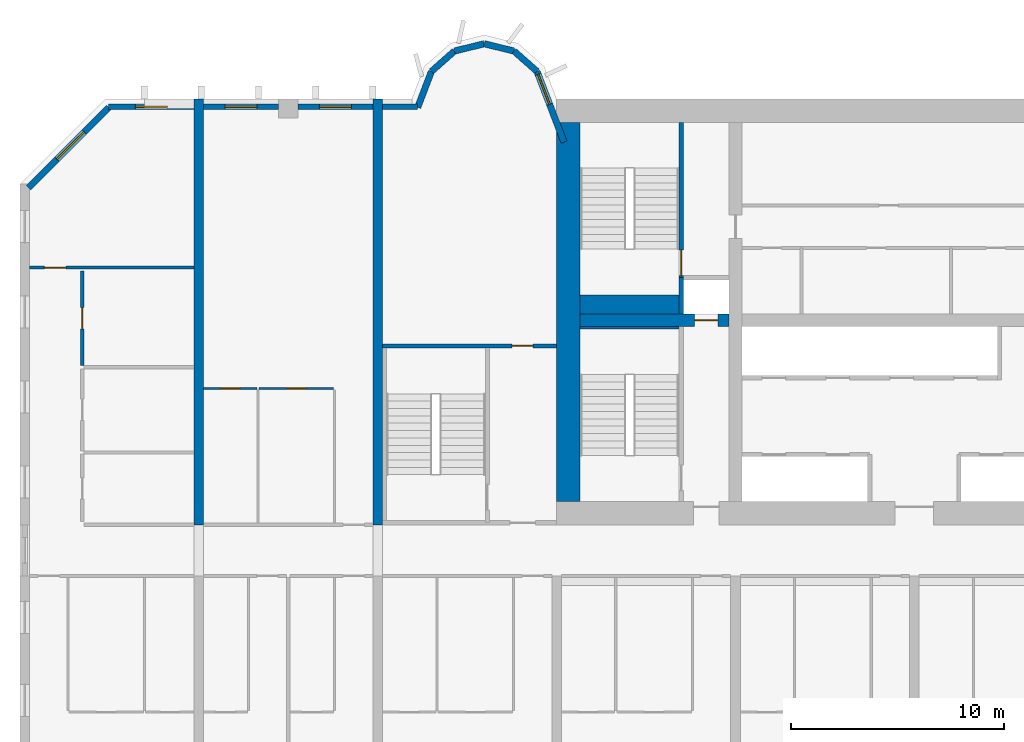
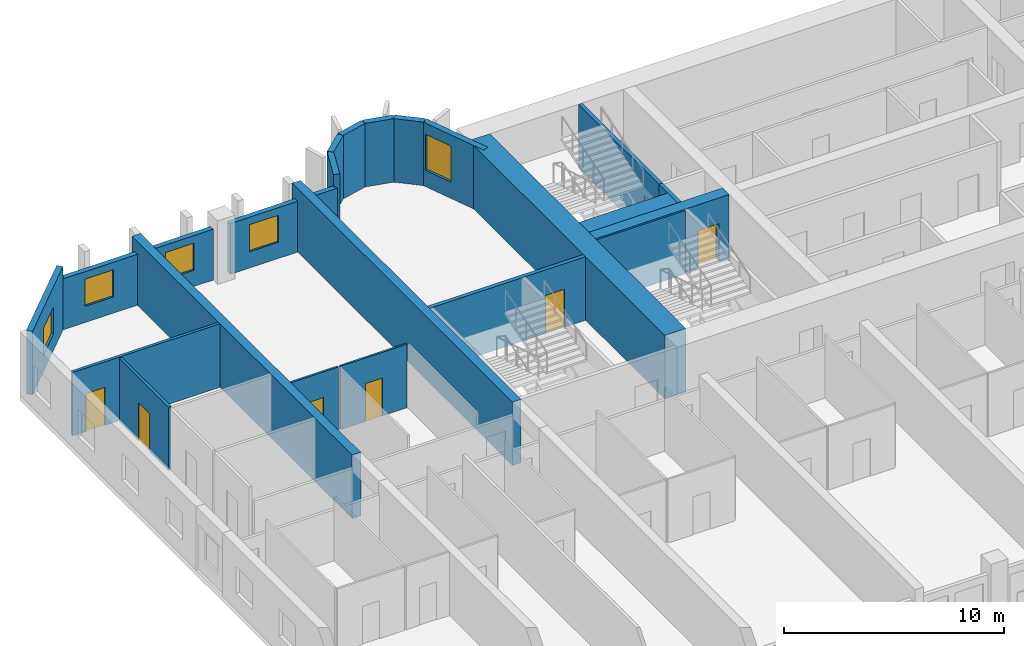
# One storey, part 6 of 14: 24 walls, 7 doors, 5 windows, 12 openings.
"""IFC4 building model written with IfcOpenShell, lengths in metres."""

from ifc_helpers import new_model, si_unit, direction, frame, frame_2d, origin, place, context, subcontext, project, spatial, rectangle, extrude, source, transform, mapped, material, layer, layer_set, type_object, element, fill, save


model = new_model("IFC4")

# Units and contexts
model_context = context("Model", 3, precision=1e-05, world=origin(), true_north=direction((0.0, 1.0)))
body_context = subcontext(model_context, "Body", "Model", "MODEL_VIEW")
ifc_project = project(units=[si_unit("LENGTHUNIT", "METRE"), si_unit("AREAUNIT", "SQUARE_METRE"), si_unit("VOLUMEUNIT", "CUBIC_METRE"), si_unit("PLANEANGLEUNIT", "RADIAN"), si_unit("MASSUNIT", "GRAM", prefix="KILO")], contexts=[model_context])

# Site, building, storey
site_placement = place(None, origin())
site = spatial("IfcSite", under=ifc_project, at=site_placement, CompositionType="ELEMENT")
building_placement = place(site_placement, origin())
building = spatial("IfcBuilding", under=site, at=building_placement, Name="Vanashikhar Sky Hotel", CompositionType="ELEMENT")
storey_placement = place(building_placement, frame((0.0, 0.0, 43.0)))
storey = spatial("IfcBuildingStorey", under=building, at=storey_placement, Name="L09", CompositionType="ELEMENT", Elevation=43.0)

# Wall
ifc_material_1 = material(Name="Concrete M80", Category="concrete")
ifc_layer_1 = layer(ifc_material_1, 1.10009765625)
ifc_layer_set_1 = layer_set([ifc_layer_1], Name="RC core shell wall 1100 Concrete M80")
wall_type_1 = type_object("IfcWallType", Name="RC core shell wall 1100 Concrete M80", PredefinedType="SHEAR", material=ifc_layer_set_1)
shared_shape_1 = source(origin(), body_context, "Body", "SweptSolid", [
    extrude(rectangle(XDim=17.7998046875, YDim=1.10009765625, at=frame_2d((8.89990234375, 0.0))), origin(), (0.0, 0.0, 1.0), 3.52001953125),
])
wall_1_placement = place(storey_placement, frame((25.75, 23.10009765625, 0.0), z_axis=(0.0, 0.0, 1.0), x_axis=(0.0, 1.0, 0.0)))
element("IfcWall", 1, at=wall_1_placement, inside=storey, type_object=wall_type_1, Name="KW-L09-KW", PredefinedType="SHEAR", context=body_context, shape_type="MappedRepresentation", body=[
    mapped(shared_shape_1, transform((0.0, 0.0, 0.0), scale=1.0)),
])

# Wall, opening, door
ifc_layer_2 = layer(ifc_material_1, 0.60009765625)
ifc_layer_set_2 = layer_set([ifc_layer_2], Name="RC core inner wall 600 Concrete M80")
wall_type_2 = type_object("IfcWallType", Name="RC core inner wall 600 Concrete M80", PredefinedType="SHEAR", material=ifc_layer_set_2)
shared_shape_2 = source(origin(), body_context, "Body", "SweptSolid", [
    extrude(rectangle(XDim=7.0, YDim=0.60009765625, at=frame_2d((3.5, 0.0))), origin(), (0.0, 0.0, 1.0), 3.52001953125),
])
wall_2_placement = place(storey_placement, frame((26.300048828125, 31.60009765625, 0.0), z_axis=(0.0, 0.0, 1.0), x_axis=(1.0, 0.0, 0.0)))
wall_2 = element("IfcWall", 2, at=wall_2_placement, inside=storey, type_object=wall_type_2, Name="KW-L09-KY1", PredefinedType="SHEAR", context=body_context, shape_type="MappedRepresentation", body=[
    mapped(shared_shape_2, transform((0.0, 0.0, 0.0), scale=1.0)),
])
shared_shape_3 = source(origin(), body_context, "Body", "SweptSolid", [
    extrude(rectangle(XDim=1.10009765625, YDim=2.10009765625, at=frame_2d((0.550048828125, 1.050048828125))), frame((0.0, 0.31005859375, 0.0), z_axis=(0.0, -1.0, 0.0), x_axis=(1.0, 0.0, 0.0)), (0.0, 0.0, 1.0), 0.6201171875),
])
opening_1_placement = place(wall_2_placement, frame((5.375, 0.0, 0.0)))
opening_1 = element("IfcOpeningElement", 3, at=opening_1_placement, cuts=wall_2, Name="Opening LD", PredefinedType="OPENING", context=body_context, shape_type="MappedRepresentation", body=[
    mapped(shared_shape_3, transform((0.0, 0.0, 0.0), scale=1.0)),
])
ifc_material_2 = material(Name="Stainless steel", Category="steel")
door_type_1 = type_object("IfcDoorType", Name="Lift landing door 1100", OperationType="NOTDEFINED", PredefinedType="DOOR", material=ifc_material_2)
shared_shape_4 = source(origin(), body_context, "Body", "SweptSolid", [
    extrude(rectangle(XDim=1.10009765625, YDim=2.10009765625, at=frame_2d((0.550048828125, 1.050048828125))), frame((0.0, 0.02490234375, 0.0), z_axis=(0.0, -1.0, 0.0), x_axis=(1.0, 0.0, 0.0)), (0.0, 0.0, 1.0), 0.050048828125),
])
door_1_placement = place(opening_1_placement, origin())
door_1 = element("IfcDoor", 4, at=door_1_placement, inside=storey, type_object=door_type_1, Name="Lift landing door 1100", OperationType="SLIDING_TO_RIGHT", OverallHeight=2.10009765625, OverallWidth=1.10009765625, PredefinedType="DOOR", context=body_context, shape_type="MappedRepresentation", body=[
    mapped(shared_shape_4, transform((0.0, 0.0, 0.0), scale=1.0)),
])
fill(opening_1, door_1)

# Walls
ifc_layer_3 = layer(ifc_material_1, 0.449951171875)
ifc_layer_set_3 = layer_set([ifc_layer_3], Name="RC shear wall 450 Concrete M80")
wall_type_3 = type_object("IfcWallType", Name="RC shear wall 450 Concrete M80", PredefinedType="SHEAR", material=ifc_layer_set_3)
shared_shape_5 = source(origin(), body_context, "Body", "SweptSolid", [
    extrude(rectangle(XDim=20.0, YDim=0.449951171875, at=frame_2d((10.0, 0.0))), origin(), (0.0, 0.0, 1.0), 3.52001953125),
])
for number, where, z_axis, x_axis, name in (
    (5, (8.39990234375, 22.0, 0.0), (0.0, 0.0, 1.0), (0.0, 1.0, 0.0), "CW-L09-XW02-2"),
    (6, (16.800048828125, 22.0, 0.0), (0.0, 0.0, 1.0), (0.0, 1.0, 0.0), "CW-L09-XW03-2"),
):
    element("IfcWall", number, at=place(storey_placement, frame(where, z_axis=z_axis, x_axis=x_axis)), inside=storey, type_object=wall_type_3, Name=name, PredefinedType="SHEAR", context=body_context, shape_type="MappedRepresentation", body=[
        mapped(shared_shape_5, transform((0.0, 0.0, 0.0), scale=1.0)),
    ])

# Wall, opening, window
ifc_material_3 = material(Name="Concrete M50", Category="concrete")
ifc_layer_4 = layer(ifc_material_3, 0.300048828125)
ifc_layer_set_4 = layer_set([ifc_layer_4], Name="Lobe wall 300")
wall_type_4 = type_object("IfcWallType", Name="Lobe wall 300", PredefinedType="SOLIDWALL", material=ifc_layer_set_4)
shared_shape_6 = source(origin(), body_context, "Body", "SweptSolid", [
    extrude(rectangle(XDim=5.32568359375, YDim=0.300048828125, at=frame_2d((2.662841796875, 0.0))), origin(), (0.0, 0.0, 1.0), 3.52001953125),
])
wall_3_placement = place(storey_placement, frame((4.165771484375, 41.60009765625, 0.0), z_axis=(0.0, 0.0, 1.0), x_axis=(-0.707106781187, -0.707106781187, 0.0)))
wall_3 = element("IfcWall", 7, at=wall_3_placement, inside=storey, type_object=wall_type_4, Name="Corner wall", PredefinedType="SOLIDWALL", context=body_context, shape_type="MappedRepresentation", body=[
    mapped(shared_shape_6, transform((0.0, 0.0, 0.0), scale=1.0)),
])
shared_shape_7 = source(origin(), body_context, "Body", "SweptSolid", [
    extrude(rectangle(XDim=1.800048828125, YDim=1.5, at=frame_2d((0.89990234375, 0.75))), frame((0.0, 0.16015625, 0.0), z_axis=(0.0, -1.0, 0.0), x_axis=(1.0, 0.0, 0.0)), (0.0, 0.0, 1.0), 0.320068359375),
])
opening_2_placement = place(wall_3_placement, frame((1.636474609375, 0.0, 0.89990234375)))
opening_2 = element("IfcOpeningElement", 8, at=opening_2_placement, cuts=wall_3, Name="Opening WN-4", PredefinedType="OPENING", context=body_context, shape_type="MappedRepresentation", body=[
    mapped(shared_shape_7, transform((0.0, 0.0, 0.0), scale=1.0)),
])
ifc_material_4 = material(Name="Glass", Category="glass")
window_type_1 = type_object("IfcWindowType", Name="Corner window 1800 x 1500", PartitioningType="SINGLE_PANEL", PredefinedType="WINDOW", material=ifc_material_4)
shared_shape_8 = source(origin(), body_context, "Body", "SweptSolid", [
    extrude(rectangle(XDim=1.800048828125, YDim=1.5, at=frame_2d((0.89990234375, 0.75))), frame((0.0, 0.030029296875, 0.0), z_axis=(0.0, -1.0, 0.0), x_axis=(1.0, 0.0, 0.0)), (0.0, 0.0, 1.0), 0.06005859375),
])
window_1_placement = place(opening_2_placement, origin())
window_1 = element("IfcWindow", 9, at=window_1_placement, inside=storey, type_object=window_type_1, Name="Window WN-4", OverallHeight=1.5, OverallWidth=1.800048828125, PartitioningType="SINGLE_PANEL", PredefinedType="WINDOW", context=body_context, shape_type="MappedRepresentation", body=[
    mapped(shared_shape_8, transform((0.0, 0.0, 0.0), scale=1.0)),
])
fill(opening_2, window_1)

shared_shape_9 = source(origin(), body_context, "Body", "SweptSolid", [
    extrude(rectangle(XDim=3.55908203125, YDim=0.300048828125, at=frame_2d((1.779541015625, 0.0))), origin(), (0.0, 0.0, 1.0), 3.52001953125),
])
wall_4_placement = place(storey_placement, frame((25.550048828125, 39.968505859375, 0.0), z_axis=(0.0, 0.0, 1.0), x_axis=(-0.35779745313, 0.933799219604, 0.0)))
wall_4 = element("IfcWall", 10, at=wall_4_placement, inside=storey, type_object=wall_type_4, Name="Lobe wall", PredefinedType="SOLIDWALL", context=body_context, shape_type="MappedRepresentation", body=[
    mapped(shared_shape_9, transform((0.0, 0.0, 0.0), scale=1.0)),
])
shared_shape_10 = source(origin(), body_context, "Body", "SweptSolid", [
    extrude(rectangle(XDim=1.5, YDim=2.0, at=frame_2d((0.75, 1.0))), frame((0.0, 0.16015625, 0.0), z_axis=(0.0, -1.0, 0.0), x_axis=(1.0, 0.0, 0.0)), (0.0, 0.0, 1.0), 0.320068359375),
])
opening_3_placement = place(wall_4_placement, frame((1.9033203125, 0.0, 0.89990234375)))
opening_3 = element("IfcOpeningElement", 11, at=opening_3_placement, cuts=wall_4, Name="Opening WN-2", PredefinedType="OPENING", context=body_context, shape_type="MappedRepresentation", body=[
    mapped(shared_shape_10, transform((0.0, 0.0, 0.0), scale=1.0)),
])
window_type_2 = type_object("IfcWindowType", Name="Lobe window 1500 x 2000", PartitioningType="SINGLE_PANEL", PredefinedType="WINDOW", material=ifc_material_4)
shared_shape_11 = source(origin(), body_context, "Body", "SweptSolid", [
    extrude(rectangle(XDim=1.5, YDim=2.0, at=frame_2d((0.75, 1.0))), frame((0.0, 0.030029296875, 0.0), z_axis=(0.0, -1.0, 0.0), x_axis=(1.0, 0.0, 0.0)), (0.0, 0.0, 1.0), 0.06005859375),
])
window_2_placement = place(opening_3_placement, origin())
window_2 = element("IfcWindow", 12, at=window_2_placement, inside=storey, type_object=window_type_2, Name="Window WN-2", OverallHeight=2.0, OverallWidth=1.5, PartitioningType="SINGLE_PANEL", PredefinedType="WINDOW", context=body_context, shape_type="MappedRepresentation", body=[
    mapped(shared_shape_11, transform((0.0, 0.0, 0.0), scale=1.0)),
])
fill(opening_3, window_2)

# Walls
shared_shape_12 = source(origin(), body_context, "Body", "SweptSolid", [
    extrude(rectangle(XDim=1.440185546875, YDim=0.300048828125, at=frame_2d((0.72021484375, 0.0))), origin(), (0.0, 0.0, 1.0), 3.52001953125),
])
wall_5_placement = place(storey_placement, frame((24.276611328125, 43.2919921875, 0.0), z_axis=(0.0, 0.0, 1.0), x_axis=(-0.749649827867, 0.661834673902, 0.0)))
element("IfcWall", 13, at=wall_5_placement, inside=storey, type_object=wall_type_4, Name="Lobe wall", PredefinedType="SOLIDWALL", context=body_context, shape_type="MappedRepresentation", body=[
    mapped(shared_shape_12, transform((0.0, 0.0, 0.0), scale=1.0)),
])
shared_shape_13 = source(origin(), body_context, "Body", "SweptSolid", [
    extrude(rectangle(XDim=1.4384765625, YDim=0.300048828125, at=frame_2d((0.71923828125, 0.0))), origin(), (0.0, 0.0, 1.0), 3.52001953125),
])
wall_6_placement = place(storey_placement, frame((23.197021484375, 44.2451171875, 0.0), z_axis=(0.0, 0.0, 1.0), x_axis=(-0.971152283879, 0.238460146601, 0.0)))
element("IfcWall", 14, at=wall_6_placement, inside=storey, type_object=wall_type_4, Name="Lobe wall", PredefinedType="SOLIDWALL", context=body_context, shape_type="MappedRepresentation", body=[
    mapped(shared_shape_13, transform((0.0, 0.0, 0.0), scale=1.0)),
])
shared_shape_14 = source(origin(), body_context, "Body", "SweptSolid", [
    extrude(rectangle(XDim=1.438720703125, YDim=0.300048828125, at=frame_2d((0.71923828125, 0.0))), origin(), (0.0, 0.0, 1.0), 3.52001953125),
])
wall_7_placement = place(storey_placement, frame((21.800048828125, 44.588134765625, 0.0), z_axis=(0.0, 0.0, 1.0), x_axis=(-0.971161932466, -0.238420848351, 0.0)))
element("IfcWall", 15, at=wall_7_placement, inside=storey, type_object=wall_type_4, Name="Lobe wall", PredefinedType="SOLIDWALL", context=body_context, shape_type="MappedRepresentation", body=[
    mapped(shared_shape_14, transform((0.0, 0.0, 0.0), scale=1.0)),
])
shared_shape_15 = source(origin(), body_context, "Body", "SweptSolid", [
    extrude(rectangle(XDim=1.43994140625, YDim=0.300048828125, at=frame_2d((0.719970703125, 0.0))), origin(), (0.0, 0.0, 1.0), 3.52001953125),
])
wall_8_placement = place(storey_placement, frame((20.40283203125, 44.2451171875, 0.0), z_axis=(0.0, 0.0, 1.0), x_axis=(-0.74957555648, -0.661918790432, 0.0)))
element("IfcWall", 16, at=wall_8_placement, inside=storey, type_object=wall_type_4, Name="Lobe wall", PredefinedType="SOLIDWALL", context=body_context, shape_type="MappedRepresentation", body=[
    mapped(shared_shape_15, transform((0.0, 0.0, 0.0), scale=1.0)),
])
shared_shape_16 = source(origin(), body_context, "Body", "SweptSolid", [
    extrude(rectangle(XDim=1.81201171875, YDim=0.300048828125, at=frame_2d((0.906005859375, 0.0))), origin(), (0.0, 0.0, 1.0), 3.52001953125),
])
wall_9_placement = place(storey_placement, frame((19.323486328125, 43.2919921875, 0.0), z_axis=(0.0, 0.0, 1.0), x_axis=(-0.357877270961, -0.93376863244, 0.0)))
element("IfcWall", 17, at=wall_9_placement, inside=storey, type_object=wall_type_4, Name="Lobe wall", PredefinedType="SOLIDWALL", context=body_context, shape_type="MappedRepresentation", body=[
    mapped(shared_shape_16, transform((0.0, 0.0, 0.0), scale=1.0)),
])

# Wall, opening, window
ifc_layer_5 = layer(ifc_material_3, 0.25)
ifc_layer_set_5 = layer_set([ifc_layer_5], Name="Rear and end board-marked wall 250")
wall_type_5 = type_object("IfcWallType", Name="Rear and end board-marked wall 250", PredefinedType="SOLIDWALL", material=ifc_layer_set_5)
shared_shape_17 = source(origin(), body_context, "Body", "SweptSolid", [
    extrude(rectangle(XDim=4.019775390625, YDim=0.25, at=frame_2d((2.009765625, 0.0))), origin(), (0.0, 0.0, 1.0), 2.820068359375),
])
wall_10_placement = place(storey_placement, frame((8.175048828125, 41.625, 0.0), z_axis=(0.0, 0.0, 1.0), x_axis=(-1.0, 0.0, 0.0)))
wall_10 = element("IfcWall", 18, at=wall_10_placement, inside=storey, type_object=wall_type_5, Name="Rear board-marked wall", PredefinedType="SOLIDWALL", context=body_context, shape_type="MappedRepresentation", body=[
    mapped(shared_shape_17, transform((0.0, 0.0, 0.0), scale=1.0)),
])
shared_shape_18 = source(origin(), body_context, "Body", "SweptSolid", [
    extrude(rectangle(XDim=1.5, YDim=1.5, at=frame_2d((0.75, 0.75))), frame((0.0, 0.135009765625, 0.0), z_axis=(0.0, -1.0, 0.0), x_axis=(1.0, 0.0, 0.0)), (0.0, 0.0, 1.0), 0.27001953125),
])
opening_4_placement = place(wall_10_placement, frame((1.260009765625, 0.0, 0.89990234375)))
opening_4 = element("IfcOpeningElement", 19, at=opening_4_placement, cuts=wall_10, Name="Opening WN-1", PredefinedType="OPENING", context=body_context, shape_type="MappedRepresentation", body=[
    mapped(shared_shape_18, transform((0.0, 0.0, 0.0), scale=1.0)),
])
window_type_3 = type_object("IfcWindowType", Name="Window 1500 x 1500", PartitioningType="SINGLE_PANEL", PredefinedType="WINDOW", material=ifc_material_4)
shared_shape_19 = source(origin(), body_context, "Body", "SweptSolid", [
    extrude(rectangle(XDim=1.5, YDim=1.5, at=frame_2d((0.75, 0.75))), frame((0.0, 0.030029296875, 0.0), z_axis=(0.0, -1.0, 0.0), x_axis=(1.0, 0.0, 0.0)), (0.0, 0.0, 1.0), 0.06005859375),
])
window_3_placement = place(opening_4_placement, origin())
window_3 = element("IfcWindow", 20, at=window_3_placement, inside=storey, type_object=window_type_3, Name="Window WN-1", OverallHeight=1.5, OverallWidth=1.5, PartitioningType="SINGLE_PANEL", PredefinedType="WINDOW", context=body_context, shape_type="MappedRepresentation", body=[
    mapped(shared_shape_19, transform((0.0, 0.0, 0.0), scale=1.0)),
])
fill(opening_4, window_3)

shared_shape_20 = source(origin(), body_context, "Body", "SweptSolid", [
    extrude(rectangle(XDim=3.52490234375, YDim=0.25, at=frame_2d((1.762451171875, 0.0))), origin(), (0.0, 0.0, 1.0), 2.820068359375),
])
wall_11_placement = place(storey_placement, frame((12.14990234375, 41.625, 0.0), z_axis=(0.0, 0.0, 1.0), x_axis=(-1.0, 0.0, 0.0)))
wall_11 = element("IfcWall", 21, at=wall_11_placement, inside=storey, type_object=wall_type_5, Name="Rear board-marked wall", PredefinedType="SOLIDWALL", context=body_context, shape_type="MappedRepresentation", body=[
    mapped(shared_shape_20, transform((0.0, 0.0, 0.0), scale=1.0)),
])
opening_5_placement = place(wall_11_placement, frame((1.012451171875, 0.0, 0.89990234375)))
opening_5 = element("IfcOpeningElement", 22, at=opening_5_placement, cuts=wall_11, Name="Opening WN-1", PredefinedType="OPENING", context=body_context, shape_type="MappedRepresentation", body=[
    mapped(shared_shape_18, transform((0.0, 0.0, 0.0), scale=1.0)),
])
window_4_placement = place(opening_5_placement, origin())
window_4 = element("IfcWindow", 23, at=window_4_placement, inside=storey, type_object=window_type_3, Name="Window WN-1", OverallHeight=1.5, OverallWidth=1.5, PartitioningType="SINGLE_PANEL", PredefinedType="WINDOW", context=body_context, shape_type="MappedRepresentation", body=[
    mapped(shared_shape_19, transform((0.0, 0.0, 0.0), scale=1.0)),
])
fill(opening_5, window_4)

wall_12_placement = place(storey_placement, frame((16.574951171875, 41.625, 0.0), z_axis=(0.0, 0.0, 1.0), x_axis=(-1.0, 0.0, 0.0)))
wall_12 = element("IfcWall", 24, at=wall_12_placement, inside=storey, type_object=wall_type_5, Name="Rear board-marked wall", PredefinedType="SOLIDWALL", context=body_context, shape_type="MappedRepresentation", body=[
    mapped(shared_shape_20, transform((0.0, 0.0, 0.0), scale=1.0)),
])
opening_6_placement = place(wall_12_placement, frame((1.012451171875, 0.0, 0.89990234375)))
opening_6 = element("IfcOpeningElement", 25, at=opening_6_placement, cuts=wall_12, Name="Opening WN-1", PredefinedType="OPENING", context=body_context, shape_type="MappedRepresentation", body=[
    mapped(shared_shape_18, transform((0.0, 0.0, 0.0), scale=1.0)),
])
window_5_placement = place(opening_6_placement, origin())
window_5 = element("IfcWindow", 26, at=window_5_placement, inside=storey, type_object=window_type_3, Name="Window WN-1", OverallHeight=1.5, OverallWidth=1.5, PartitioningType="SINGLE_PANEL", PredefinedType="WINDOW", context=body_context, shape_type="MappedRepresentation", body=[
    mapped(shared_shape_19, transform((0.0, 0.0, 0.0), scale=1.0)),
])
fill(opening_6, window_5)

# Walls
shared_shape_21 = source(origin(), body_context, "Body", "SweptSolid", [
    extrude(rectangle(XDim=1.633056640625, YDim=0.25, at=frame_2d((0.81640625, 0.0))), origin(), (0.0, 0.0, 1.0), 2.820068359375),
])
wall_13_placement = place(storey_placement, frame((18.657958984375, 41.625, 0.0), z_axis=(0.0, 0.0, 1.0), x_axis=(-1.0, 0.0, 0.0)))
element("IfcWall", 27, at=wall_13_placement, inside=storey, type_object=wall_type_5, Name="Rear board-marked wall", PredefinedType="SOLIDWALL", context=body_context, shape_type="MappedRepresentation", body=[
    mapped(shared_shape_21, transform((0.0, 0.0, 0.0), scale=1.0)),
])
ifc_material_5 = material(Name="Concrete M40", Category="concrete")
ifc_layer_6 = layer(ifc_material_5, 0.199951171875)
ifc_layer_set_6 = layer_set([ifc_layer_6], Name="Shaft wall 200")
wall_type_6 = type_object("IfcWallType", Name="Shaft wall 200", PredefinedType="SOLIDWALL", material=ifc_layer_set_6)
shared_shape_22 = source(origin(), body_context, "Body", "SweptSolid", [
    extrude(rectangle(XDim=1.7001953125, YDim=0.199951171875, at=frame_2d((0.85009765625, 0.0))), origin(), (0.0, 0.0, 1.0), 3.52001953125),
])
wall_14_placement = place(storey_placement, frame((31.050048828125, 31.89990234375, 0.0), z_axis=(0.0, 0.0, 1.0), x_axis=(0.0, 1.0, 0.0)))
element("IfcWall", 28, at=wall_14_placement, inside=storey, type_object=wall_type_6, Name="Shaft wall 200", PredefinedType="SOLIDWALL", context=body_context, shape_type="MappedRepresentation", body=[
    mapped(shared_shape_22, transform((0.0, 0.0, 0.0), scale=1.0)),
])

# Wall, opening, door
ifc_layer_7 = layer(ifc_material_3, 0.199951171875)
ifc_layer_set_7 = layer_set([ifc_layer_7], Name="Stair wall 200")
wall_type_7 = type_object("IfcWallType", Name="Stair wall 200", PredefinedType="SOLIDWALL", material=ifc_layer_set_7)
shared_shape_23 = source(origin(), body_context, "Body", "SweptSolid", [
    extrude(rectangle(XDim=7.2998046875, YDim=0.199951171875, at=frame_2d((3.64990234375, 0.0))), origin(), (0.0, 0.0, 1.0), 3.52001953125),
])
wall_15_placement = place(storey_placement, frame((31.050048828125, 33.60009765625, 0.0), z_axis=(0.0, 0.0, 1.0), x_axis=(0.0, 1.0, 0.0)))
wall_15 = element("IfcWall", 29, at=wall_15_placement, inside=storey, type_object=wall_type_7, Name="Stair wall 200", PredefinedType="SOLIDWALL", context=body_context, shape_type="MappedRepresentation", body=[
    mapped(shared_shape_23, transform((0.0, 0.0, 0.0), scale=1.0)),
])
shared_shape_24 = source(origin(), body_context, "Body", "SweptSolid", [
    extrude(rectangle(XDim=1.199951171875, YDim=2.10009765625, at=frame_2d((0.60009765625, 1.050048828125))), frame((0.0, 0.10986328125, 0.0), z_axis=(0.0, -1.0, 0.0), x_axis=(1.0, 0.0, 0.0)), (0.0, 0.0, 1.0), 0.219970703125),
])
opening_7_placement = place(wall_15_placement, frame((0.10009765625, 0.0, 0.0)))
opening_7 = element("IfcOpeningElement", 30, at=opening_7_placement, cuts=wall_15, Name="Opening DC-1", PredefinedType="OPENING", context=body_context, shape_type="MappedRepresentation", body=[
    mapped(shared_shape_24, transform((0.0, 0.0, 0.0), scale=1.0)),
])
ifc_material_6 = material(Name="Steel", Category="steel")
door_type_2 = type_object("IfcDoorType", Name="Stair door 1200 FD120", OperationType="NOTDEFINED", PredefinedType="DOOR", material=ifc_material_6)
shared_shape_25 = source(origin(), body_context, "Body", "SweptSolid", [
    extrude(rectangle(XDim=1.199951171875, YDim=2.10009765625, at=frame_2d((0.60009765625, 1.050048828125))), frame((0.0, 0.02490234375, 0.0), z_axis=(0.0, -1.0, 0.0), x_axis=(1.0, 0.0, 0.0)), (0.0, 0.0, 1.0), 0.050048828125),
])
door_2_placement = place(opening_7_placement, origin())
door_2 = element("IfcDoor", 31, at=door_2_placement, inside=storey, type_object=door_type_2, Name="Stair door 1200 FD120", OperationType="SINGLE_SWING_RIGHT", OverallHeight=2.10009765625, OverallWidth=1.199951171875, PredefinedType="DOOR", context=body_context, shape_type="MappedRepresentation", body=[
    mapped(shared_shape_25, transform((0.0, 0.0, 0.0), scale=1.0)),
])
fill(opening_7, door_2)

shared_shape_26 = source(origin(), body_context, "Body", "SweptSolid", [
    extrude(rectangle(XDim=8.175048828125, YDim=0.199951171875, at=frame_2d((4.08740234375, 0.0))), origin(), (0.0, 0.0, 1.0), 3.52001953125),
])
wall_16_placement = place(storey_placement, frame((17.02490234375, 30.39990234375, 0.0), z_axis=(0.0, 0.0, 1.0), x_axis=(1.0, 0.0, 0.0)))
wall_16 = element("IfcWall", 32, at=wall_16_placement, inside=storey, type_object=wall_type_7, Name="Stair wall 200", PredefinedType="SOLIDWALL", context=body_context, shape_type="MappedRepresentation", body=[
    mapped(shared_shape_26, transform((0.0, 0.0, 0.0), scale=1.0)),
])
shared_shape_27 = source(origin(), body_context, "Body", "SweptSolid", [
    extrude(rectangle(XDim=1.0, YDim=2.10009765625, at=frame_2d((0.5, 1.050048828125))), frame((0.0, 0.10986328125, 0.0), z_axis=(0.0, -1.0, 0.0), x_axis=(1.0, 0.0, 0.0)), (0.0, 0.0, 1.0), 0.219970703125),
])
opening_8_placement = place(wall_16_placement, frame((6.074951171875, 0.0, 0.0)))
opening_8 = element("IfcOpeningElement", 33, at=opening_8_placement, cuts=wall_16, Name="Opening DC-6", PredefinedType="OPENING", context=body_context, shape_type="MappedRepresentation", body=[
    mapped(shared_shape_27, transform((0.0, 0.0, 0.0), scale=1.0)),
])
door_type_3 = type_object("IfcDoorType", Name="Pocket door 1000 FD60", OperationType="NOTDEFINED", PredefinedType="DOOR", material=ifc_material_6)
shared_shape_28 = source(origin(), body_context, "Body", "SweptSolid", [
    extrude(rectangle(XDim=1.0, YDim=2.10009765625, at=frame_2d((0.5, 1.050048828125))), frame((0.0, 0.02490234375, 0.0), z_axis=(0.0, -1.0, 0.0), x_axis=(1.0, 0.0, 0.0)), (0.0, 0.0, 1.0), 0.050048828125),
])
door_3_placement = place(opening_8_placement, origin())
door_3 = element("IfcDoor", 34, at=door_3_placement, inside=storey, type_object=door_type_3, Name="Pocket door 1000 FD60", OperationType="SINGLE_SWING_RIGHT", OverallHeight=2.10009765625, OverallWidth=1.0, PredefinedType="DOOR", context=body_context, shape_type="MappedRepresentation", body=[
    mapped(shared_shape_28, transform((0.0, 0.0, 0.0), scale=1.0)),
])
fill(opening_8, door_3)

# Walls
ifc_layer_8 = layer(ifc_material_3, 0.10009765625)
ifc_layer_set_8 = layer_set([ifc_layer_8], Name="Stair infill wall 100")
wall_type_8 = type_object("IfcWallType", Name="Stair infill wall 100", PredefinedType="SOLIDWALL", material=ifc_layer_set_8)
shared_shape_29 = source(origin(), body_context, "Body", "SweptSolid", [
    extrude(rectangle(XDim=4.64990234375, YDim=0.10009765625, at=frame_2d((2.324951171875, 0.0))), origin(), (0.0, 0.0, 1.0), 3.52001953125),
])
wall_17_placement = place(storey_placement, frame((26.300048828125, 31.25, 0.0), z_axis=(0.0, 0.0, 1.0), x_axis=(1.0, 0.0, 0.0)))
element("IfcWall", 35, at=wall_17_placement, inside=storey, type_object=wall_type_8, Name="Stair infill wall 100", PredefinedType="SOLIDWALL", context=body_context, shape_type="MappedRepresentation", body=[
    mapped(shared_shape_29, transform((0.0, 0.0, 0.0), scale=1.0)),
])
ifc_layer_9 = layer(ifc_material_3, 0.89990234375)
ifc_layer_set_9 = layer_set([ifc_layer_9], Name="Stair infill wall 900")
wall_type_9 = type_object("IfcWallType", Name="Stair infill wall 900", PredefinedType="SOLIDWALL", material=ifc_layer_set_9)
shared_shape_30 = source(origin(), body_context, "Body", "SweptSolid", [
    extrude(rectangle(XDim=4.64990234375, YDim=0.89990234375, at=frame_2d((2.324951171875, 0.0))), origin(), (0.0, 0.0, 1.0), 3.52001953125),
])
wall_18_placement = place(storey_placement, frame((26.300048828125, 32.35009765625, 0.0), z_axis=(0.0, 0.0, 1.0), x_axis=(1.0, 0.0, 0.0)))
element("IfcWall", 36, at=wall_18_placement, inside=storey, type_object=wall_type_9, Name="Stair infill wall 900", PredefinedType="SOLIDWALL", context=body_context, shape_type="MappedRepresentation", body=[
    mapped(shared_shape_30, transform((0.0, 0.0, 0.0), scale=1.0)),
])

# Wall, opening, door
ifc_material_7 = material(Name="Gypsum plasterboard partition")
ifc_layer_10 = layer(ifc_material_7, 0.14990234375)
ifc_layer_set_10 = layer_set([ifc_layer_10], Name="Corridor and demising partition 150")
wall_type_10 = type_object("IfcWallType", Name="Corridor and demising partition 150", PredefinedType="PARTITIONING", material=ifc_layer_set_10)
shared_shape_31 = source(origin(), body_context, "Body", "SweptSolid", [
    extrude(rectangle(XDim=7.72509765625, YDim=0.14990234375, at=frame_2d((3.862548828125, 0.0))), origin(), (0.0, 0.0, 1.0), 3.52001953125),
])
wall_19_placement = place(storey_placement, frame((0.449951171875, 34.074951171875, 0.0), z_axis=(0.0, 0.0, 1.0), x_axis=(1.0, 0.0, 0.0)))
wall_19 = element("IfcWall", 37, at=wall_19_placement, inside=storey, type_object=wall_type_10, Name="W-L09-PW076", PredefinedType="PARTITIONING", context=body_context, shape_type="MappedRepresentation", body=[
    mapped(shared_shape_31, transform((0.0, 0.0, 0.0), scale=1.0)),
])
shared_shape_32 = source(origin(), body_context, "Body", "SweptSolid", [
    extrude(rectangle(XDim=1.0, YDim=2.10009765625, at=frame_2d((0.5, 1.050048828125))), frame((0.0, 0.0849609375, 0.0), z_axis=(0.0, -1.0, 0.0), x_axis=(1.0, 0.0, 0.0)), (0.0, 0.0, 1.0), 0.169921875),
])
opening_9_placement = place(wall_19_placement, frame((0.699951171875, 0.0, 0.0)))
opening_9 = element("IfcOpeningElement", 38, at=opening_9_placement, cuts=wall_19, Name="Opening D-01", PredefinedType="OPENING", context=body_context, shape_type="MappedRepresentation", body=[
    mapped(shared_shape_32, transform((0.0, 0.0, 0.0), scale=1.0)),
])
ifc_material_8 = material(Name="Timber fire door", Category="wood")
door_type_4 = type_object("IfcDoorType", Name="Guest entry door 1000 FD30S", OperationType="NOTDEFINED", PredefinedType="DOOR", material=ifc_material_8)
door_4_placement = place(opening_9_placement, origin())
door_4 = element("IfcDoor", 39, at=door_4_placement, inside=storey, type_object=door_type_4, Name="D-L09-044", OperationType="SINGLE_SWING_LEFT", OverallHeight=2.10009765625, OverallWidth=1.0, PredefinedType="DOOR", context=body_context, shape_type="MappedRepresentation", body=[
    mapped(shared_shape_28, transform((0.0, 0.0, 0.0), scale=1.0)),
])
fill(opening_9, door_4)

ifc_layer_11 = layer(ifc_material_7, 0.10009765625)
ifc_layer_set_11 = layer_set([ifc_layer_11], Name="Wet room partition 100")
wall_type_11 = type_object("IfcWallType", Name="Wet room partition 100", PredefinedType="PARTITIONING", material=ifc_layer_set_11)
shared_shape_33 = source(origin(), body_context, "Body", "SweptSolid", [
    extrude(rectangle(XDim=3.5, YDim=0.10009765625, at=frame_2d((1.75, 0.0))), origin(), (0.0, 0.0, 1.0), 3.52001953125),
])
wall_20_placement = place(storey_placement, frame((11.22509765625, 28.39990234375, 0.0), z_axis=(0.0, 0.0, 1.0), x_axis=(1.0, 0.0, 0.0)))
wall_20 = element("IfcWall", 40, at=wall_20_placement, inside=storey, type_object=wall_type_11, Name="W-L09-PW079", PredefinedType="PARTITIONING", context=body_context, shape_type="MappedRepresentation", body=[
    mapped(shared_shape_33, transform((0.0, 0.0, 0.0), scale=1.0)),
])
shared_shape_34 = source(origin(), body_context, "Body", "SweptSolid", [
    extrude(rectangle(XDim=0.89990234375, YDim=2.10009765625, at=frame_2d((0.449951171875, 1.050048828125))), frame((0.0, 0.06005859375, 0.0), z_axis=(0.0, -1.0, 0.0), x_axis=(1.0, 0.0, 0.0)), (0.0, 0.0, 1.0), 0.1201171875),
])
opening_10_placement = place(wall_20_placement, frame((1.300048828125, 0.0, 0.0)))
opening_10 = element("IfcOpeningElement", 41, at=opening_10_placement, cuts=wall_20, Name="Opening D-02", PredefinedType="OPENING", context=body_context, shape_type="MappedRepresentation", body=[
    mapped(shared_shape_34, transform((0.0, 0.0, 0.0), scale=1.0)),
])
ifc_material_9 = material(Name="Timber door", Category="wood")
door_type_5 = type_object("IfcDoorType", Name="Internal door 900", OperationType="NOTDEFINED", PredefinedType="DOOR", material=ifc_material_9)
shared_shape_35 = source(origin(), body_context, "Body", "SweptSolid", [
    extrude(rectangle(XDim=0.89990234375, YDim=2.10009765625, at=frame_2d((0.449951171875, 1.050048828125))), frame((0.0, 0.02490234375, 0.0), z_axis=(0.0, -1.0, 0.0), x_axis=(1.0, 0.0, 0.0)), (0.0, 0.0, 1.0), 0.050048828125),
])
door_5_placement = place(opening_10_placement, origin())
door_5 = element("IfcDoor", 42, at=door_5_placement, inside=storey, type_object=door_type_5, Name="D-L09-045", OperationType="SINGLE_SWING_RIGHT", OverallHeight=2.10009765625, OverallWidth=0.89990234375, PredefinedType="DOOR", context=body_context, shape_type="MappedRepresentation", body=[
    mapped(shared_shape_35, transform((0.0, 0.0, 0.0), scale=1.0)),
])
fill(opening_10, door_5)

shared_shape_36 = source(origin(), body_context, "Body", "SweptSolid", [
    extrude(rectangle(XDim=2.5, YDim=0.10009765625, at=frame_2d((1.25, 0.0))), origin(), (0.0, 0.0, 1.0), 3.52001953125),
])
wall_21_placement = place(storey_placement, frame((8.625, 28.39990234375, 0.0), z_axis=(0.0, 0.0, 1.0), x_axis=(1.0, 0.0, 0.0)))
wall_21 = element("IfcWall", 43, at=wall_21_placement, inside=storey, type_object=wall_type_11, Name="W-L09-PW080", PredefinedType="PARTITIONING", context=body_context, shape_type="MappedRepresentation", body=[
    mapped(shared_shape_36, transform((0.0, 0.0, 0.0), scale=1.0)),
])
opening_11_placement = place(wall_21_placement, frame((0.800048828125, 0.0, 0.0)))
opening_11 = element("IfcOpeningElement", 44, at=opening_11_placement, cuts=wall_21, Name="Opening D-02", PredefinedType="OPENING", context=body_context, shape_type="MappedRepresentation", body=[
    mapped(shared_shape_34, transform((0.0, 0.0, 0.0), scale=1.0)),
])
door_6_placement = place(opening_11_placement, origin())
door_6 = element("IfcDoor", 45, at=door_6_placement, inside=storey, type_object=door_type_5, Name="D-L09-046", OperationType="SINGLE_SWING_RIGHT", OverallHeight=2.10009765625, OverallWidth=0.89990234375, PredefinedType="DOOR", context=body_context, shape_type="MappedRepresentation", body=[
    mapped(shared_shape_35, transform((0.0, 0.0, 0.0), scale=1.0)),
])
fill(opening_11, door_6)

shared_shape_37 = source(origin(), body_context, "Body", "SweptSolid", [
    extrude(rectangle(XDim=4.449951171875, YDim=0.14990234375, at=frame_2d((2.22509765625, 0.0))), origin(), (0.0, 0.0, 1.0), 3.52001953125),
])
wall_22_placement = place(storey_placement, frame((2.925048828125, 29.47509765625, 0.0), z_axis=(0.0, 0.0, 1.0), x_axis=(0.0, 1.0, 0.0)))
wall_22 = element("IfcWall", 46, at=wall_22_placement, inside=storey, type_object=wall_type_10, Name="W-L09-PW075", PredefinedType="PARTITIONING", context=body_context, shape_type="MappedRepresentation", body=[
    mapped(shared_shape_37, transform((0.0, 0.0, 0.0), scale=1.0)),
])
opening_12_placement = place(wall_22_placement, frame((1.72509765625, 0.0, 0.0)))
opening_12 = element("IfcOpeningElement", 47, at=opening_12_placement, cuts=wall_22, Name="Opening D-01", PredefinedType="OPENING", context=body_context, shape_type="MappedRepresentation", body=[
    mapped(shared_shape_32, transform((0.0, 0.0, 0.0), scale=1.0)),
])
door_7_placement = place(opening_12_placement, origin())
door_7 = element("IfcDoor", 48, at=door_7_placement, inside=storey, type_object=door_type_4, Name="D-L09-043", OperationType="SINGLE_SWING_LEFT", OverallHeight=2.10009765625, OverallWidth=1.0, PredefinedType="DOOR", context=body_context, shape_type="MappedRepresentation", body=[
    mapped(shared_shape_28, transform((0.0, 0.0, 0.0), scale=1.0)),
])
fill(opening_12, door_7)

save(model, "model.ifc")
